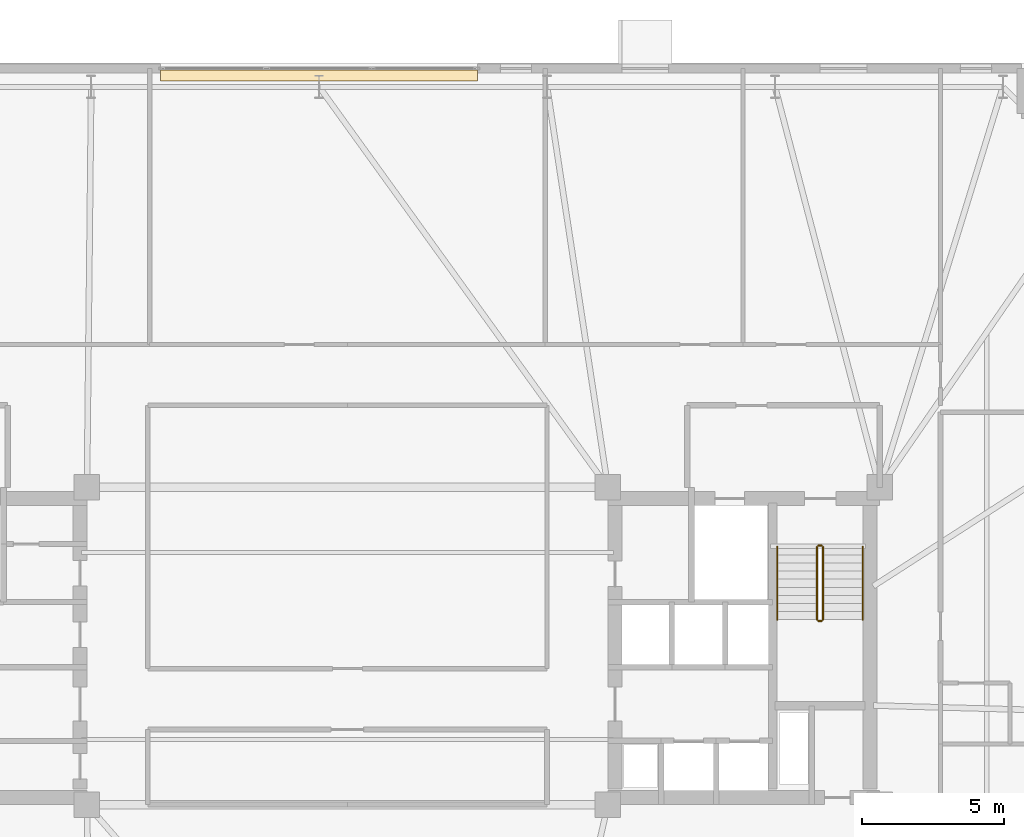
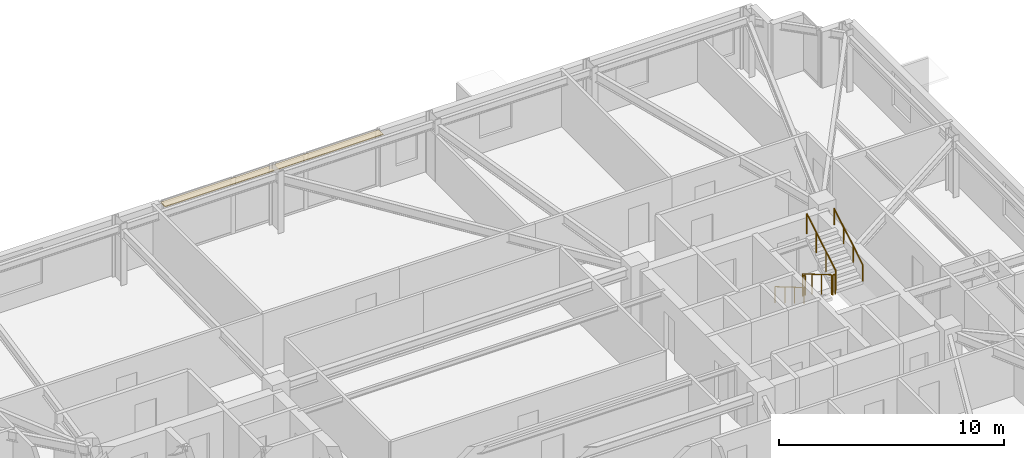
# One storey, part 18 of 18: 6 railings, 1 covering.
"""IFC4 building model written with IfcOpenShell, lengths in metres."""

from ifc_helpers import new_model, si_unit, direction, frame, origin, origin_2d, place, context, subcontext, project, spatial, polyline, circle, outline, extrude, material, layer, layer_set, type_object, element, save


model = new_model("IFC4")

# Units and contexts
model_context = context("Model", 3, precision=1e-05, world=origin(), true_north=direction((0.0, 1.0)))
body_context = subcontext(model_context, "Body", "Model", "MODEL_VIEW")
ifc_project = project(units=[si_unit("LENGTHUNIT", "METRE"), si_unit("AREAUNIT", "SQUARE_METRE"), si_unit("VOLUMEUNIT", "CUBIC_METRE"), si_unit("PLANEANGLEUNIT", "RADIAN"), si_unit("MASSUNIT", "GRAM", prefix="KILO")], contexts=[model_context])

# Site, building, storey
site_placement = place(None, origin())
site = spatial("IfcSite", under=ifc_project, at=site_placement, CompositionType="ELEMENT")
building_placement = place(site_placement, origin())
building = spatial("IfcBuilding", under=site, at=building_placement, Name="Qobustan Lattice House", CompositionType="ELEMENT")
storey_placement = place(building_placement, frame((0.0, 0.0, 147.75)))
storey = spatial("IfcBuildingStorey", under=building, at=storey_placement, Name="L41", CompositionType="ELEMENT", Elevation=147.75)

# Covering
ifc_material_1 = material(Name="Persian walnut timber lining", Category="wood")
ifc_layer = layer(ifc_material_1, 0.0380859375)
ifc_layer_set = layer_set([ifc_layer], Name="Persian walnut timber lining")
covering_type = type_object("IfcCoveringType", Name="COV-WALNUT-IWAN", PredefinedType="CLADDING", material=ifc_layer_set)
covering_placement = place(storey_placement, frame((0.0, 0.0, 3.001953125)))
element("IfcCovering", 1, at=covering_placement, inside=storey, type_object=covering_type, Name="L41 IWAN-3 Persian walnut soffit cladding", PredefinedType="CLADDING", context=body_context, shape_type="SweptSolid", body=[
    extrude(outline(polyline([(-6.60009765625, 20.35009765625), (4.60009765625, 20.35009765625), (4.60009765625, 19.949951171875), (-6.60009765625, 19.949951171875), (-6.60009765625, 20.35009765625)])), origin(), (0.0, 0.0, 1.0), 0.0380859375),
])

# Railings
ifc_material_2 = material(Name="Brushed stainless steel handrail", Category="steel")
railing_type_1 = type_object("IfcRailingType", Name="RAL-HR-920", PredefinedType="HANDRAIL", material=ifc_material_2)
railing_1_placement = place(storey_placement, frame((15.179931640625, 3.5, 0.16748046875)))
element("IfcRailing", 2, at=railing_1_placement, inside=storey, type_object=railing_type_1, Name="L41 ST-E1 stair handrail 1", PredefinedType="HANDRAIL", context=body_context, shape_type="SweptSolid", body=[
    extrude(circle(Radius=0.02392578125, at=origin_2d()), frame((0.0, 0.0, 0.8759765625), z_axis=(0.0, -0.862113467892, 0.50671527358), x_axis=(1.0, 0.0, 0.0)), (0.0, 0.0, 1.0), 2.97509765625),
    extrude(circle(Radius=0.02099609375, at=origin_2d()), origin(), (0.0, 0.0, 1.0), 0.851806640625),
    extrude(circle(Radius=0.02099609375, at=origin_2d()), frame((0.0, -0.85498046875, 0.50244140625)), (0.0, 0.0, 1.0), 0.851806640625),
    extrude(circle(Radius=0.02099609375, at=origin_2d()), frame((0.0, -1.7099609375, 1.005126953125)), (0.0, 0.0, 1.0), 0.851806640625),
    extrude(circle(Radius=0.02099609375, at=origin_2d()), frame((0.0, -2.56494140625, 1.507568359375)), (0.0, 0.0, 1.0), 0.851806640625),
])
railing_2_placement = place(storey_placement, frame((18.199951171875, 0.93505859375, 1.842529296875)))
element("IfcRailing", 3, at=railing_2_placement, inside=storey, type_object=railing_type_1, Name="L41 ST-E1 stair handrail 2", PredefinedType="HANDRAIL", context=body_context, shape_type="SweptSolid", body=[
    extrude(circle(Radius=0.02392578125, at=origin_2d()), frame((0.0, 0.0, 0.8759765625), z_axis=(0.0, 0.862113467892, 0.50671527358), x_axis=(-1.0, 0.0, 0.0)), (0.0, 0.0, 1.0), 2.97509765625),
    extrude(circle(Radius=0.02099609375, at=origin_2d()), origin(), (0.0, 0.0, 1.0), 0.851806640625),
    extrude(circle(Radius=0.02099609375, at=origin_2d()), frame((0.0, 0.85498046875, 0.50244140625)), (0.0, 0.0, 1.0), 0.851806640625),
    extrude(circle(Radius=0.02099609375, at=origin_2d()), frame((0.0, 1.7099609375, 1.005126953125)), (0.0, 0.0, 1.0), 0.851806640625),
    extrude(circle(Radius=0.02099609375, at=origin_2d()), frame((0.0, 2.56494140625, 1.507568359375)), (0.0, 0.0, 1.0), 0.851806640625),
])
ifc_material_3 = material(Name="Painted galvanized steel guardrail", Category="steel")
railing_type_2 = type_object("IfcRailingType", Name="RAL-STG-1150", PredefinedType="GUARDRAIL", material=ifc_material_3)
railing_3_placement = place(storey_placement, frame((16.580078125, 3.5, 0.16748046875)))
element("IfcRailing", 4, at=railing_3_placement, inside=storey, type_object=railing_type_2, Name="L41 ST-E1 stair guard 1", PredefinedType="GUARDRAIL", context=body_context, shape_type="SweptSolid", body=[
    extrude(circle(Radius=0.02392578125, at=origin_2d()), frame((0.0, 0.0, 1.076171875), z_axis=(0.0, -0.862113467892, 0.50671527358), x_axis=(1.0, 0.0, 0.0)), (0.0, 0.0, 1.0), 2.97509765625),
    extrude(circle(Radius=0.02099609375, at=origin_2d()), origin(), (0.0, 0.0, 1.0), 1.052001953125),
    extrude(circle(Radius=0.02099609375, at=origin_2d()), frame((0.0, -0.85498046875, 0.50244140625)), (0.0, 0.0, 1.0), 1.052001953125),
    extrude(circle(Radius=0.02099609375, at=origin_2d()), frame((0.0, -1.7099609375, 1.005126953125)), (0.0, 0.0, 1.0), 1.052001953125),
    extrude(circle(Radius=0.02099609375, at=origin_2d()), frame((0.0, -2.56494140625, 1.507568359375)), (0.0, 0.0, 1.0), 1.052001953125),
])
railing_4_placement = place(storey_placement, frame((16.6298828125, 0.885009765625, 1.675048828125)))
element("IfcRailing", 5, at=railing_4_placement, inside=storey, type_object=railing_type_2, Name="L41 ST-E1 stair guard 2", PredefinedType="GUARDRAIL", context=body_context, shape_type="SweptSolid", body=[
    extrude(circle(Radius=0.02392578125, at=origin_2d()), frame((0.0, 0.0, 1.076171875), z_axis=(1.0, 0.0, 0.0), x_axis=(0.0, 1.0, 0.0)), (0.0, 0.0, 1.0), 0.1201171875),
    extrude(circle(Radius=0.02099609375, at=origin_2d()), origin(), (0.0, 0.0, 1.0), 1.052001953125),
    extrude(circle(Radius=0.02099609375, at=origin_2d()), frame((0.1201171875, 0.0, 0.0)), (0.0, 0.0, 1.0), 1.052001953125),
])
railing_5_placement = place(storey_placement, frame((16.800048828125, 0.93505859375, 1.842529296875)))
element("IfcRailing", 6, at=railing_5_placement, inside=storey, type_object=railing_type_2, Name="L41 ST-E1 stair guard 3", PredefinedType="GUARDRAIL", context=body_context, shape_type="SweptSolid", body=[
    extrude(circle(Radius=0.02392578125, at=origin_2d()), frame((0.0, 0.0, 1.076171875), z_axis=(0.0, 0.862113467892, 0.50671527358), x_axis=(-1.0, 0.0, 0.0)), (0.0, 0.0, 1.0), 2.97509765625),
    extrude(circle(Radius=0.02099609375, at=origin_2d()), origin(), (0.0, 0.0, 1.0), 1.052001953125),
    extrude(circle(Radius=0.02099609375, at=origin_2d()), frame((0.0, 0.85498046875, 0.50244140625)), (0.0, 0.0, 1.0), 1.052001953125),
    extrude(circle(Radius=0.02099609375, at=origin_2d()), frame((0.0, 1.7099609375, 1.005126953125)), (0.0, 0.0, 1.0), 1.052001953125),
    extrude(circle(Radius=0.02099609375, at=origin_2d()), frame((0.0, 2.56494140625, 1.507568359375)), (0.0, 0.0, 1.0), 1.052001953125),
])
railing_6_placement = place(storey_placement, frame((16.6298828125, 3.550048828125, 0.0)))
element("IfcRailing", 7, at=railing_6_placement, inside=storey, type_object=railing_type_2, Name="L41 ST-E1 stair guard 4", PredefinedType="GUARDRAIL", context=body_context, shape_type="SweptSolid", body=[
    extrude(circle(Radius=0.02392578125, at=origin_2d()), frame((0.0, 0.0, 1.076171875), z_axis=(1.0, 0.0, 0.0), x_axis=(0.0, 1.0, 0.0)), (0.0, 0.0, 1.0), 0.1201171875),
    extrude(circle(Radius=0.02099609375, at=origin_2d()), origin(), (0.0, 0.0, 1.0), 1.052001953125),
    extrude(circle(Radius=0.02099609375, at=origin_2d()), frame((0.1201171875, 0.0, 0.0)), (0.0, 0.0, 1.0), 1.052001953125),
])

save(model, "model.ifc")
